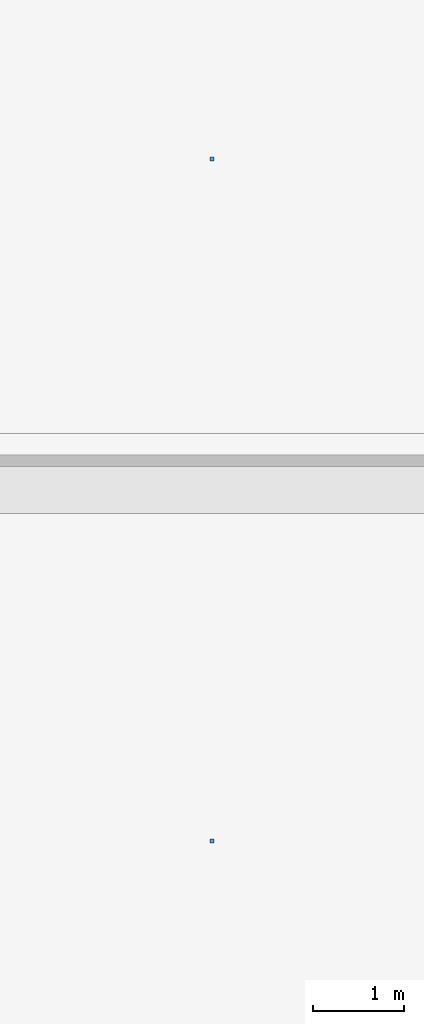
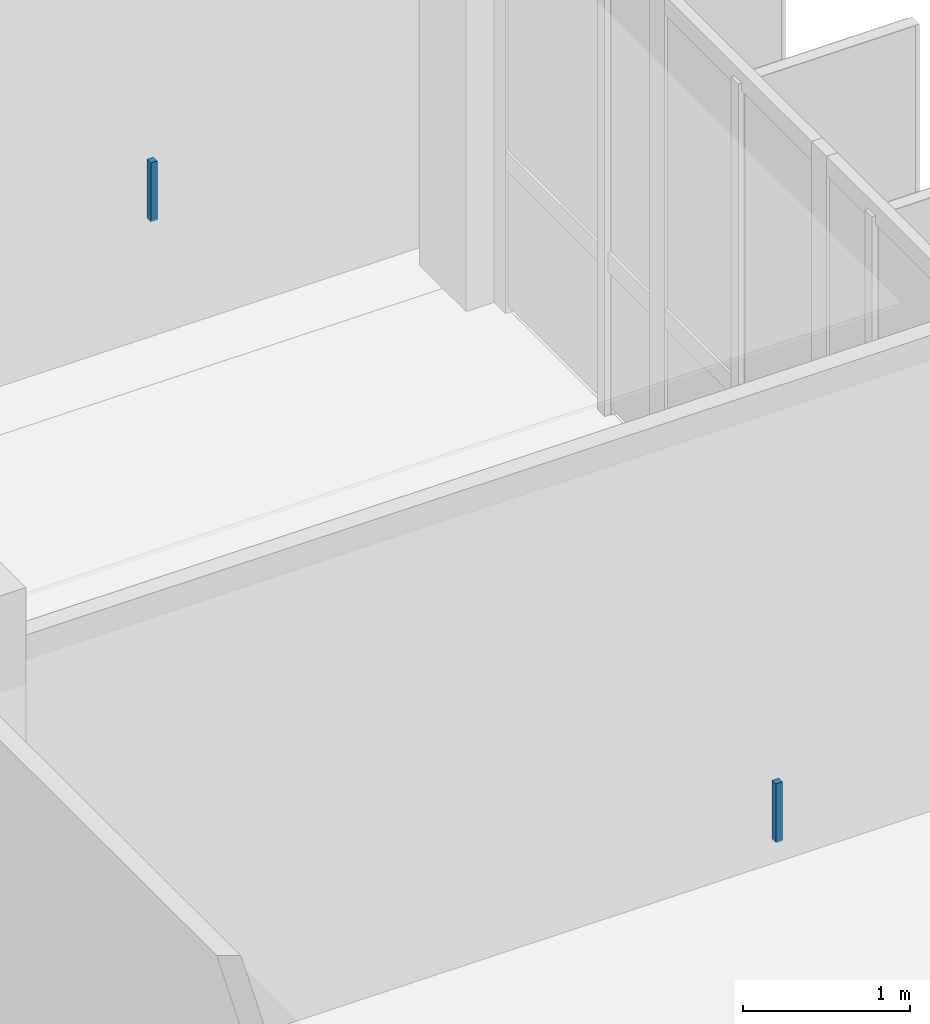
# One storey, part 67 of 85: 2 discrete accessories.
"""IFC4 building model written with IfcOpenShell, lengths in metres."""

from ifc_helpers import new_model, si_unit, derived_unit, direction, frame, origin, origin_2d, place, context, subcontext, project, spatial, rectangle, extrude, material, type_object, element, save


model = new_model("IFC4")

# Units and contexts
model_context = context("Model", 3, precision=1e-05, world=origin(), true_north=direction((0.0, 1.0)))
body_context = subcontext(model_context, "Body", "Model", "MODEL_VIEW")
ifc_project = project(units=[si_unit("LENGTHUNIT", "METRE"), si_unit("AREAUNIT", "SQUARE_METRE"), si_unit("VOLUMEUNIT", "CUBIC_METRE"), si_unit("PLANEANGLEUNIT", "RADIAN"), si_unit("MASSUNIT", "GRAM", prefix="KILO"), derived_unit("THERMALTRANSMITTANCEUNIT", [(si_unit("POWERUNIT", "WATT"), 1), (si_unit("LENGTHUNIT", "METRE"), -2), (si_unit("THERMODYNAMICTEMPERATUREUNIT", "KELVIN"), -1)])], contexts=[model_context])

# Site, building, storey
site_placement = place(None, origin())
site = spatial("IfcSite", under=ifc_project, at=site_placement, CompositionType="ELEMENT")
building_placement = place(site_placement, origin())
building = spatial("IfcBuilding", under=site, at=building_placement, Name="Braskholm Square Health Centre", CompositionType="ELEMENT")
storey_placement = place(building_placement, frame((0.0, 0.0, 9.300048828125)))
storey = spatial("IfcBuildingStorey", under=building, at=storey_placement, Name="L03", CompositionType="ELEMENT", Elevation=9.300048828125)

# Discrete accessories
ifc_material = material(Name="Steel ASTM A500 Grade C", Category="steel")
discrete_accessory_type = type_object("IfcDiscreteAccessoryType", Name="CeilingSuspensionBracket", PredefinedType="BRACKET", material=ifc_material)
for number, where, z_axis, x_axis, name in (
    (1, (159.93994140625, 38.7099609375, 3.48193359375), (0.0, 0.0, 1.0), (1.0, 0.0, 0.0), "Ceiling hanger bracket 0155"),
    (2, (159.93994140625, 46.18994140625, 3.48193359375), (0.0, 0.0, 1.0), (1.0, 0.0, 0.0), "Ceiling hanger bracket 0156"),
):
    element("IfcDiscreteAccessory", number, at=place(storey_placement, frame(where, z_axis=z_axis, x_axis=x_axis)), inside=storey, type_object=discrete_accessory_type, Name=name, PredefinedType="BRACKET", context=body_context, shape_type="SweptSolid", body=[
        extrude(rectangle(XDim=0.044921875, YDim=0.044921875, at=origin_2d()), origin(), (0.0, 0.0, 1.0), 0.429931640625),
    ])

save(model, "model.ifc")
